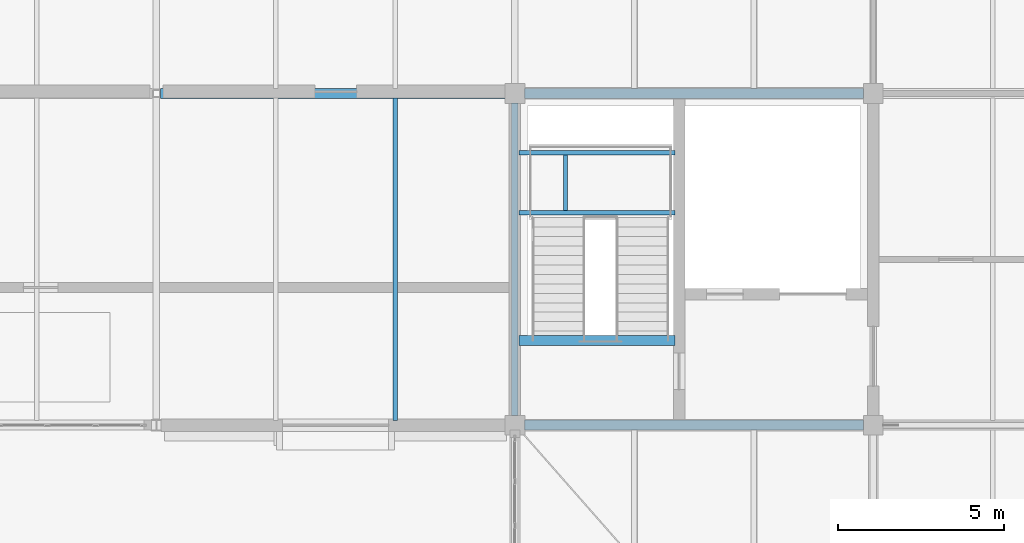
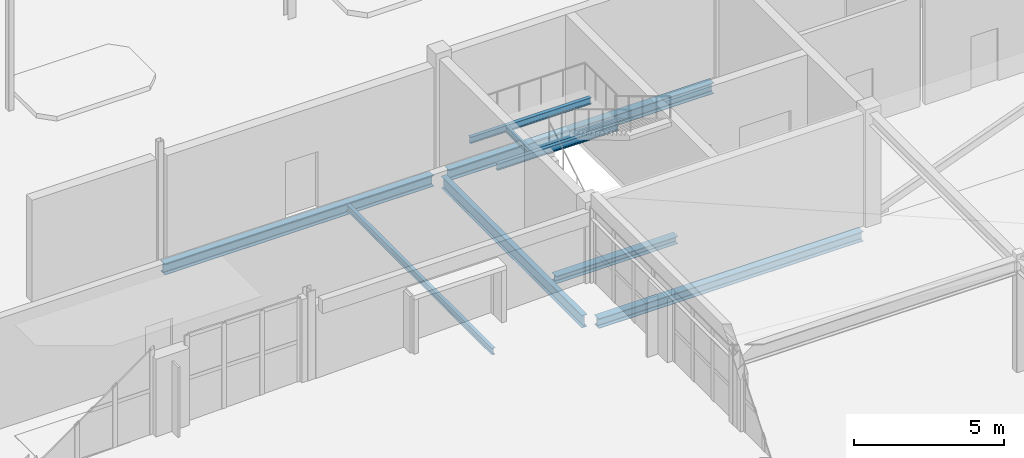
# One storey, part 23 of 86: 9 beams.
"""IFC4 building model written with IfcOpenShell, lengths in metres."""

from ifc_helpers import new_model, si_unit, direction, frame, origin, origin_2d, place, context, subcontext, project, spatial, i_section, extrude, material, material_profile, profile_set, type_object, element, save


model = new_model("IFC4")

# Units and contexts
model_context = context("Model", 3, precision=1e-05, world=origin(), true_north=direction((0.0, 1.0)))
body_context = subcontext(model_context, "Body", "Model", "MODEL_VIEW")
ifc_project = project(units=[si_unit("LENGTHUNIT", "METRE"), si_unit("AREAUNIT", "SQUARE_METRE"), si_unit("VOLUMEUNIT", "CUBIC_METRE"), si_unit("PLANEANGLEUNIT", "RADIAN"), si_unit("MASSUNIT", "GRAM", prefix="KILO")], contexts=[model_context])

# Site, building, storey
site_placement = place(None, origin())
site = spatial("IfcSite", under=ifc_project, at=site_placement, CompositionType="ELEMENT")
building_placement = place(site_placement, origin())
building = spatial("IfcBuilding", under=site, at=building_placement, Name="Tasgan Crest Museum", CompositionType="ELEMENT")
storey_placement = place(building_placement, frame((0.0, 0.0, 24.0)))
storey = spatial("IfcBuildingStorey", under=building, at=storey_placement, Name="L04", CompositionType="ELEMENT", Elevation=24.0)

# Beams
ifc_material_1 = material(Name="Steel S355J2", Category="steel")
ifc_material_profile_1 = material_profile(ifc_material_1, i_section(OverallWidth=0.300048828125, OverallDepth=0.43994140625, WebThickness=0.011474609375, FlangeThickness=0.02099609375, FilletRadius=0.027099609375, at=origin_2d()), Name="HEA 450")
ifc_profile_set_1 = profile_set([ifc_material_profile_1], Name="Steel S355J2")
beam_type_1 = type_object("IfcBeamType", Name="BM-G-HEA450", PredefinedType="BEAM", material=ifc_profile_set_1)
beam_1_placement = place(storey_placement, frame((43.325927734375, 92.0, -0.4599609375), z_axis=(1.0, 0.0, 0.0), x_axis=(0.0, 1.0, 0.0)))
element("IfcBeam", 1, at=beam_1_placement, inside=storey, type_object=beam_type_1, Name="Girder L04 K 43.2-54.0", PredefinedType="BEAM", context=body_context, shape_type="SweptSolid", body=[
    extrude(i_section(OverallWidth=0.300048828125, OverallDepth=0.43994140625, WebThickness=0.011474609375, FlangeThickness=0.02099609375, FilletRadius=0.027099609375, at=origin_2d()), origin(), (0.0, 0.0, 1.0), 10.378173828125),
])
beam_2_placement = place(storey_placement, frame((54.2958984375, 92.0, -0.4599609375), z_axis=(1.0, 0.0, 0.0), x_axis=(0.0, 1.0, 0.0)))
element("IfcBeam", 2, at=beam_2_placement, inside=storey, type_object=beam_type_1, Name="Girder L04 K 54.0-64.8", PredefinedType="BEAM", context=body_context, shape_type="SweptSolid", body=[
    extrude(i_section(OverallWidth=0.300048828125, OverallDepth=0.43994140625, WebThickness=0.011474609375, FlangeThickness=0.02099609375, FilletRadius=0.027099609375, at=origin_2d()), origin(), (0.0, 0.0, 1.0), 10.2080078125),
])
ifc_material_2 = material(Name="Steel S355J2", Category="steel")
ifc_material_profile_2 = material_profile(ifc_material_2, i_section(OverallWidth=0.300048828125, OverallDepth=0.300048828125, WebThickness=0.010986328125, FlangeThickness=0.01904296875, FilletRadius=0.027099609375, at=origin_2d()), Name="HEB 300")
ifc_profile_set_2 = profile_set([ifc_material_profile_2], Name="Steel S355J2")
beam_type_2 = type_object("IfcBeamType", Name="BM-G-HEB300", PredefinedType="BEAM", material=ifc_profile_set_2)
beam_3_placement = place(storey_placement, frame((54.1298828125, 84.550048828125, -0.14990234375), z_axis=(1.0, 0.0, 0.0), x_axis=(0.0, 1.0, 0.0)))
element("IfcBeam", 3, at=beam_3_placement, inside=storey, type_object=beam_type_2, Name="Stair threshold trimmer beam ST-NC-L04", PredefinedType="BEAM", context=body_context, shape_type="SweptSolid", body=[
    extrude(i_section(OverallWidth=0.300048828125, OverallDepth=0.300048828125, WebThickness=0.010986328125, FlangeThickness=0.01904296875, FilletRadius=0.027099609375, at=origin_2d()), origin(), (0.0, 0.0, 1.0), 4.690185546875),
])
ifc_material_3 = material(Name="Steel S355J2", Category="steel")
ifc_material_profile_3 = material_profile(ifc_material_3, i_section(OverallWidth=0.300048828125, OverallDepth=0.39990234375, WebThickness=0.013427734375, FlangeThickness=0.02392578125, FilletRadius=0.027099609375, at=origin_2d()), Name="HEB 400")
ifc_profile_set_3 = profile_set([ifc_material_profile_3], Name="Steel S355J2")
beam_type_3 = type_object("IfcBeamType", Name="BM-G-HEB400", PredefinedType="BEAM", material=ifc_profile_set_3)
beam_4_placement = place(storey_placement, frame((54.2958984375, 82.0, -0.43994140625), z_axis=(1.0, 0.0, 0.0), x_axis=(0.0, 1.0, 0.0)))
element("IfcBeam", 4, at=beam_4_placement, inside=storey, type_object=beam_type_3, Name="Girder L04 J 54.0-64.8", PredefinedType="BEAM", context=body_context, shape_type="SweptSolid", body=[
    extrude(i_section(OverallWidth=0.300048828125, OverallDepth=0.39990234375, WebThickness=0.013427734375, FlangeThickness=0.02392578125, FilletRadius=0.027099609375, at=origin_2d()), origin(), (0.0, 0.0, 1.0), 10.2080078125),
])
ifc_material_4 = material(Name="Steel S355J2", Category="steel")
ifc_material_profile_4 = material_profile(ifc_material_4, i_section(OverallWidth=0.199951171875, OverallDepth=0.5, WebThickness=0.01025390625, FlangeThickness=0.01611328125, FilletRadius=0.02099609375, at=origin_2d()), Name="IPE 500")
ifc_profile_set_4 = profile_set([ifc_material_profile_4], Name="Steel S355J2")
beam_type_4 = type_object("IfcBeamType", Name="BM-G-IPE500", PredefinedType="BEAM", material=ifc_profile_set_4)
beam_5_placement = place(storey_placement, frame((54.0, 82.294921875, -0.489990234375), z_axis=(0.0, 1.0, 0.0), x_axis=(-1.0, 0.0, 0.0)))
element("IfcBeam", 5, at=beam_5_placement, inside=storey, type_object=beam_type_4, Name="Beam L04 6 82.0-92.0", PredefinedType="BEAM", context=body_context, shape_type="SweptSolid", body=[
    extrude(i_section(OverallWidth=0.199951171875, OverallDepth=0.5, WebThickness=0.01025390625, FlangeThickness=0.01611328125, FilletRadius=0.02099609375, at=origin_2d()), origin(), (0.0, 0.0, 1.0), 9.41015625),
])
ifc_material_5 = material(Name="Steel S355J2", Category="steel")
ifc_material_profile_5 = material_profile(ifc_material_5, i_section(OverallWidth=0.135009765625, OverallDepth=0.27001953125, WebThickness=0.006591796875, FlangeThickness=0.01025390625, FilletRadius=0.014892578125, at=origin_2d()), Name="IPE 270")
ifc_profile_set_5 = profile_set([ifc_material_profile_5], Name="Steel S355J2")
beam_type_5 = type_object("IfcBeamType", Name="BM-J-IPE270", PredefinedType="JOIST", material=ifc_profile_set_5)
beam_6_placement = place(storey_placement, frame((50.39990234375, 82.14501953125, -0.375), z_axis=(0.0, 1.0, 0.0), x_axis=(-1.0, 0.0, 0.0)))
element("IfcBeam", 6, at=beam_6_placement, inside=storey, type_object=beam_type_5, Name="Secondary joist L04 X=50.4 Y=82.0-92.0", PredefinedType="JOIST", context=body_context, shape_type="SweptSolid", body=[
    extrude(i_section(OverallWidth=0.135009765625, OverallDepth=0.27001953125, WebThickness=0.006591796875, FlangeThickness=0.01025390625, FilletRadius=0.014892578125, at=origin_2d()), origin(), (0.0, 0.0, 1.0), 9.7099609375),
])
ifc_material_6 = material(Name="Steel S355J2", Category="steel")
ifc_material_profile_6 = material_profile(ifc_material_6, i_section(OverallWidth=0.1201171875, OverallDepth=0.239990234375, WebThickness=0.006103515625, FlangeThickness=0.009765625, FilletRadius=0.014892578125, at=origin_2d()), Name="IPE 240")
ifc_profile_set_6 = profile_set([ifc_material_profile_6], Name="Steel S355J2")
beam_type_6 = type_object("IfcBeamType", Name="BM-LAND-IPE240", PredefinedType="BEAM", material=ifc_profile_set_6)
beam_7_placement = place(storey_placement, frame((55.52490234375, 88.465087890625, 2.080078125), z_axis=(0.0, 1.0, 0.0), x_axis=(-1.0, 0.0, 0.0)))
element("IfcBeam", 7, at=beam_7_placement, inside=storey, type_object=beam_type_6, Name="Stair half-landing crossbeam ST-NC-L04 T1", PredefinedType="BEAM", context=body_context, shape_type="SweptSolid", body=[
    extrude(i_section(OverallWidth=0.1201171875, OverallDepth=0.239990234375, WebThickness=0.006103515625, FlangeThickness=0.009765625, FilletRadius=0.014892578125, at=origin_2d()), origin(), (0.0, 0.0, 1.0), 1.679931640625),
])
ifc_material_7 = material(Name="Steel S355J2", Category="steel")
ifc_material_profile_7 = material_profile(ifc_material_7, i_section(OverallWidth=0.135009765625, OverallDepth=0.27001953125, WebThickness=0.006591796875, FlangeThickness=0.01025390625, FilletRadius=0.014892578125, at=origin_2d()), Name="IPE 270")
ifc_profile_set_7 = profile_set([ifc_material_profile_7], Name="Steel S355J2")
beam_type_7 = type_object("IfcBeamType", Name="BM-LAND-IPE270", PredefinedType="BEAM", material=ifc_profile_set_7)
for number, where, z_axis, x_axis, name in (
    (8, (54.1298828125, 88.405029296875, 2.06494140625), (1.0, 0.0, 0.0), (0.0, 1.0, 0.0), "Stair half-landing beam ST-NC-L04 T1F"),
    (9, (54.1298828125, 90.205078125, 2.06494140625), (1.0, 0.0, 0.0), (0.0, 1.0, 0.0), "Stair half-landing beam ST-NC-L04 T1B"),
):
    element("IfcBeam", number, at=place(storey_placement, frame(where, z_axis=z_axis, x_axis=x_axis)), inside=storey, type_object=beam_type_7, Name=name, PredefinedType="BEAM", context=body_context, shape_type="SweptSolid", body=[
        extrude(i_section(OverallWidth=0.135009765625, OverallDepth=0.27001953125, WebThickness=0.006591796875, FlangeThickness=0.01025390625, FilletRadius=0.014892578125, at=origin_2d()), origin(), (0.0, 0.0, 1.0), 4.690185546875),
    ])

save(model, "model.ifc")
